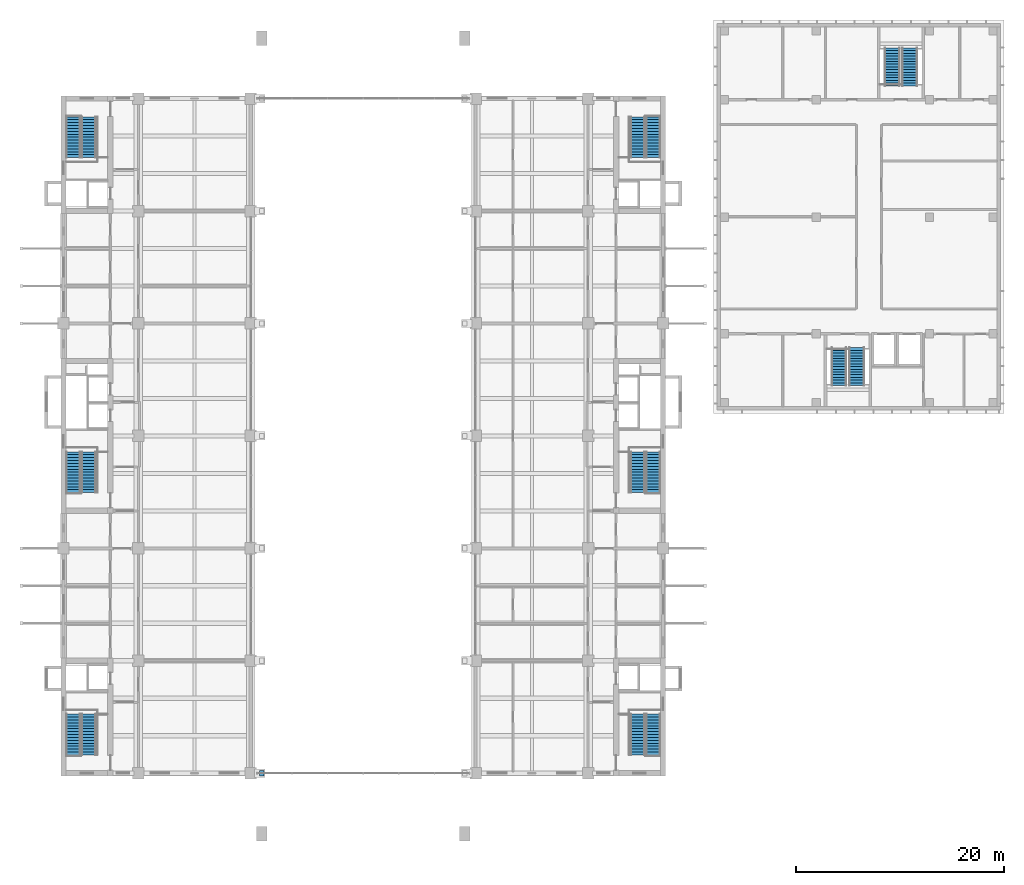
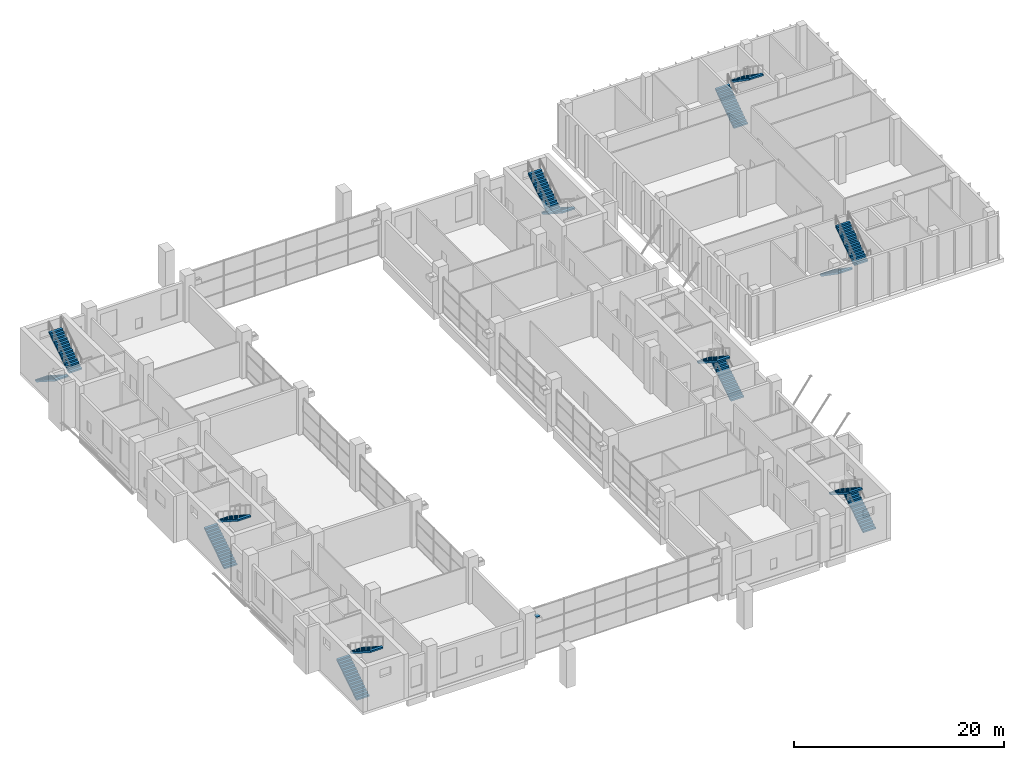
# One storey, part 26 of 38: 16 stair flights, 1 discrete accessory, 8 elements without a shape of their own.
"""IFC4 building model written with IfcOpenShell, lengths in metres."""

from ifc_helpers import new_model, si_unit, direction, frame, origin, origin_2d, place, context, subcontext, project, spatial, polyline, rectangle, outline, extrude, material, type_object, element, aggregate, save


model = new_model("IFC4")

# Units and contexts
model_context = context("Model", 3, precision=1e-05, world=origin(), true_north=direction((0.0, 1.0)))
body_context = subcontext(model_context, "Body", "Model", "MODEL_VIEW")
ifc_project = project(units=[si_unit("LENGTHUNIT", "METRE"), si_unit("AREAUNIT", "SQUARE_METRE"), si_unit("VOLUMEUNIT", "CUBIC_METRE"), si_unit("PLANEANGLEUNIT", "RADIAN"), si_unit("MASSUNIT", "GRAM", prefix="KILO")], contexts=[model_context])

# Site, building, storey
site_placement = place(None, origin())
site = spatial("IfcSite", under=ifc_project, at=site_placement, CompositionType="ELEMENT")
building_placement = place(site_placement, origin())
building = spatial("IfcBuilding", under=site, at=building_placement, Name="Basin Gate Institute", CompositionType="ELEMENT")
storey_placement = place(building_placement, frame((0.0, 0.0, 16.800048828125)))
storey = spatial("IfcBuildingStorey", under=building, at=storey_placement, Name="L03", CompositionType="ELEMENT", Elevation=16.800048828125)

# Stair, stair flights
ifc_material_1 = material(Name="Concrete 40 MPa", Category="concrete")
stair_type_1 = type_object("IfcStairType", Name="Block stair ST", PredefinedType="HALF_TURN_STAIR", material=ifc_material_1)
stair_1_placement = place(storey_placement, origin())
stair_1 = element("IfcStair", 1, at=stair_1_placement, inside=storey, type_object=stair_type_1, material=ifc_material_1, Name="Clean block stair ST-C4 L03", PredefinedType="HALF_TURN_STAIR")
ifc_material_2 = material(Name="Concrete 40 MPa", Category="concrete")
stair_flight_type_1 = type_object("IfcStairFlightType", Name="Block stair flight", PredefinedType="STRAIGHT", material=ifc_material_2)
stair_flight_1_placement = place(storey_placement, frame((135.699951171875, 75.97509765625, 0.0), z_axis=(0.0, 0.0, 1.0), x_axis=(0.0, -1.0, 0.0)))
stair_flight_1 = element("IfcStairFlight", 2, at=stair_flight_1_placement, type_object=stair_flight_type_1, material=ifc_material_2, Name="ST-C4 flight 1", NumberOfRisers=15, NumberOfTreads=14, PredefinedType="STRAIGHT", RiserHeight=0.18, TreadLength=0.26, context=body_context, shape_type="SweptSolid", body=[
    extrude(outline(polyline([(0.0, 0.0), (0.0, 0.179931640625), (0.260009765625, 0.179931640625), (0.260009765625, 0.360107421875), (0.52001953125, 0.360107421875), (0.52001953125, 0.5400390625), (0.780029296875, 0.5400390625), (0.780029296875, 0.719970703125), (1.0400390625, 0.719970703125), (1.0400390625, 0.89990234375), (1.300048828125, 0.89990234375), (1.300048828125, 1.080078125), (1.56005859375, 1.080078125), (1.56005859375, 1.260009765625), (1.820068359375, 1.260009765625), (1.820068359375, 1.43994140625), (2.080078125, 1.43994140625), (2.080078125, 1.6201171875), (2.340087890625, 1.6201171875), (2.340087890625, 1.800048828125), (2.60009765625, 1.800048828125), (2.60009765625, 1.97998046875), (2.860107421875, 1.97998046875), (2.860107421875, 2.159912109375), (3.1201171875, 2.159912109375), (3.1201171875, 2.340087890625), (3.3798828125, 2.340087890625), (3.3798828125, 2.52001953125), (3.639892578125, 2.52001953125), (3.639892578125, 2.699951171875), (3.639892578125, 2.337646484375), (0.263427734375, 0.0), (0.0, 0.0)])), frame((0.0, 0.75, 0.0), z_axis=(0.0, -1.0, 0.0), x_axis=(1.0, 0.0, 0.0)), (0.0, 0.0, 1.0), 1.5),
])
stair_flight_2_placement = place(storey_placement, frame((137.39990234375, 72.3349609375, 2.699951171875), z_axis=(0.0, 0.0, 1.0), x_axis=(0.0, 1.0, 0.0)))
stair_flight_2 = element("IfcStairFlight", 3, at=stair_flight_2_placement, type_object=stair_flight_type_1, material=ifc_material_2, Name="ST-C4 flight 2", NumberOfRisers=15, NumberOfTreads=14, PredefinedType="STRAIGHT", RiserHeight=0.18, TreadLength=0.26, context=body_context, shape_type="SweptSolid", body=[
    extrude(outline(polyline([(0.0, 0.0), (0.0, 0.179931640625), (0.260009765625, 0.179931640625), (0.260009765625, 0.360107421875), (0.52001953125, 0.360107421875), (0.52001953125, 0.5400390625), (0.780029296875, 0.5400390625), (0.780029296875, 0.719970703125), (1.0400390625, 0.719970703125), (1.0400390625, 0.89990234375), (1.300048828125, 0.89990234375), (1.300048828125, 1.080078125), (1.56005859375, 1.080078125), (1.56005859375, 1.260009765625), (1.820068359375, 1.260009765625), (1.820068359375, 1.43994140625), (2.080078125, 1.43994140625), (2.080078125, 1.6201171875), (2.340087890625, 1.6201171875), (2.340087890625, 1.800048828125), (2.60009765625, 1.800048828125), (2.60009765625, 1.97998046875), (2.860107421875, 1.97998046875), (2.860107421875, 2.159912109375), (3.1201171875, 2.159912109375), (3.1201171875, 2.340087890625), (3.3798828125, 2.340087890625), (3.3798828125, 2.52001953125), (3.639892578125, 2.52001953125), (3.639892578125, 2.699951171875), (3.639892578125, 2.337646484375), (0.263427734375, 0.0), (0.0, 0.0)])), frame((0.0, 0.75, 0.0), z_axis=(0.0, -1.0, 0.0), x_axis=(1.0, 0.0, 0.0)), (0.0, 0.0, 1.0), 1.5),
])
aggregate(stair_1, [stair_flight_1, stair_flight_2])

stair_2_placement = place(storey_placement, origin())
stair_2 = element("IfcStair", 4, at=stair_2_placement, inside=storey, type_object=stair_type_1, material=ifc_material_1, Name="Clean block stair ST-C8 L03", PredefinedType="HALF_TURN_STAIR")
stair_flight_3_placement = place(storey_placement, frame((140.800048828125, 101.125, 0.0), z_axis=(0.0, 0.0, 1.0), x_axis=(0.0, 1.0, 0.0)))
stair_flight_3 = element("IfcStairFlight", 5, at=stair_flight_3_placement, type_object=stair_flight_type_1, material=ifc_material_2, Name="ST-C8 flight 1", NumberOfRisers=15, NumberOfTreads=14, PredefinedType="STRAIGHT", RiserHeight=0.18, TreadLength=0.26, context=body_context, shape_type="SweptSolid", body=[
    extrude(outline(polyline([(0.0, 0.0), (0.0, 0.179931640625), (0.260009765625, 0.179931640625), (0.260009765625, 0.360107421875), (0.52001953125, 0.360107421875), (0.52001953125, 0.5400390625), (0.780029296875, 0.5400390625), (0.780029296875, 0.719970703125), (1.0400390625, 0.719970703125), (1.0400390625, 0.89990234375), (1.300048828125, 0.89990234375), (1.300048828125, 1.080078125), (1.56005859375, 1.080078125), (1.56005859375, 1.260009765625), (1.820068359375, 1.260009765625), (1.820068359375, 1.43994140625), (2.080078125, 1.43994140625), (2.080078125, 1.6201171875), (2.340087890625, 1.6201171875), (2.340087890625, 1.800048828125), (2.60009765625, 1.800048828125), (2.60009765625, 1.97998046875), (2.860107421875, 1.97998046875), (2.860107421875, 2.159912109375), (3.1201171875, 2.159912109375), (3.1201171875, 2.340087890625), (3.3798828125, 2.340087890625), (3.3798828125, 2.52001953125), (3.639892578125, 2.52001953125), (3.639892578125, 2.699951171875), (3.639892578125, 2.337646484375), (0.263427734375, 0.0), (0.0, 0.0)])), frame((0.0, 0.75, 0.0), z_axis=(0.0, -1.0, 0.0), x_axis=(1.0, 0.0, 0.0)), (0.0, 0.0, 1.0), 1.5),
])
stair_flight_4_placement = place(storey_placement, frame((142.5, 104.764892578125, 2.699951171875), z_axis=(0.0, 0.0, 1.0), x_axis=(0.0, -1.0, 0.0)))
stair_flight_4 = element("IfcStairFlight", 6, at=stair_flight_4_placement, type_object=stair_flight_type_1, material=ifc_material_2, Name="ST-C8 flight 2", NumberOfRisers=15, NumberOfTreads=14, PredefinedType="STRAIGHT", RiserHeight=0.18, TreadLength=0.26, context=body_context, shape_type="SweptSolid", body=[
    extrude(outline(polyline([(0.0, 0.0), (0.0, 0.179931640625), (0.260009765625, 0.179931640625), (0.260009765625, 0.360107421875), (0.52001953125, 0.360107421875), (0.52001953125, 0.5400390625), (0.780029296875, 0.5400390625), (0.780029296875, 0.719970703125), (1.0400390625, 0.719970703125), (1.0400390625, 0.89990234375), (1.300048828125, 0.89990234375), (1.300048828125, 1.080078125), (1.56005859375, 1.080078125), (1.56005859375, 1.260009765625), (1.820068359375, 1.260009765625), (1.820068359375, 1.43994140625), (2.080078125, 1.43994140625), (2.080078125, 1.6201171875), (2.340087890625, 1.6201171875), (2.340087890625, 1.800048828125), (2.60009765625, 1.800048828125), (2.60009765625, 1.97998046875), (2.860107421875, 1.97998046875), (2.860107421875, 2.159912109375), (3.1201171875, 2.159912109375), (3.1201171875, 2.340087890625), (3.3798828125, 2.340087890625), (3.3798828125, 2.52001953125), (3.639892578125, 2.52001953125), (3.639892578125, 2.699951171875), (3.639892578125, 2.337646484375), (0.263427734375, 0.0), (0.0, 0.0)])), frame((0.0, 0.75, 0.0), z_axis=(0.0, -1.0, 0.0), x_axis=(1.0, 0.0, 0.0)), (0.0, 0.0, 1.0), 1.5),
])
aggregate(stair_2, [stair_flight_3, stair_flight_4])

ifc_material_3 = material(Name="Concrete 40 MPa", Category="concrete")
stair_type_2 = type_object("IfcStairType", Name="Stair ST", PredefinedType="HALF_TURN_STAIR", material=ifc_material_3)
stair_3_placement = place(storey_placement, origin())
stair_3 = element("IfcStair", 7, at=stair_3_placement, inside=storey, type_object=stair_type_2, material=ifc_material_3, Name="Special safe stair ST-WS L03", PredefinedType="HALF_TURN_STAIR")
ifc_material_4 = material(Name="Concrete 40 MPa", Category="concrete")
stair_flight_type_2 = type_object("IfcStairFlightType", Name="Stair flight FL", PredefinedType="STRAIGHT", material=ifc_material_4)
stair_flight_5_placement = place(storey_placement, frame((62.14990234375, 36.85009765625, 0.0), z_axis=(0.0, 0.0, 1.0), x_axis=(0.0, 1.0, 0.0)))
stair_flight_5 = element("IfcStairFlight", 8, at=stair_flight_5_placement, type_object=stair_flight_type_2, material=ifc_material_4, Name="Stair flight ST-WS-F1 L03", NumberOfRisers=15, NumberOfTreads=14, PredefinedType="STRAIGHT", RiserHeight=0.18, TreadLength=0.28, context=body_context, shape_type="SweptSolid", body=[
    extrude(outline(polyline([(0.0, 0.0), (0.0, 0.179931640625), (0.280029296875, 0.179931640625), (0.280029296875, 0.360107421875), (0.56005859375, 0.360107421875), (0.56005859375, 0.5400390625), (0.840087890625, 0.5400390625), (0.840087890625, 0.719970703125), (1.1201171875, 0.719970703125), (1.1201171875, 0.89990234375), (1.39990234375, 0.89990234375), (1.39990234375, 1.080078125), (1.679931640625, 1.080078125), (1.679931640625, 1.260009765625), (1.9599609375, 1.260009765625), (1.9599609375, 1.43994140625), (2.239990234375, 1.43994140625), (2.239990234375, 1.6201171875), (2.52001953125, 1.6201171875), (2.52001953125, 1.800048828125), (2.800048828125, 1.800048828125), (2.800048828125, 1.97998046875), (3.080078125, 1.97998046875), (3.080078125, 2.159912109375), (3.360107421875, 2.159912109375), (3.360107421875, 2.340087890625), (3.639892578125, 2.340087890625), (3.639892578125, 2.52001953125), (3.919921875, 2.52001953125), (3.919921875, 2.699951171875), (3.919921875, 2.341796875), (0.277099609375, 0.0), (0.0, 0.0)])), frame((0.0, 0.699951171875, 0.0), z_axis=(0.0, -1.0, 0.0), x_axis=(1.0, 0.0, 0.0)), (0.0, 0.0, 1.0), 1.39990234375),
])
stair_flight_6_placement = place(storey_placement, frame((63.64990234375, 40.77001953125, 2.699951171875), z_axis=(0.0, 0.0, 1.0), x_axis=(0.0, -1.0, 0.0)))
stair_flight_6 = element("IfcStairFlight", 9, at=stair_flight_6_placement, type_object=stair_flight_type_2, material=ifc_material_4, Name="Stair flight ST-WS-F2 L03", NumberOfRisers=15, NumberOfTreads=14, PredefinedType="STRAIGHT", RiserHeight=0.18, TreadLength=0.28, context=body_context, shape_type="SweptSolid", body=[
    extrude(outline(polyline([(0.0, 0.0), (0.0, 0.179931640625), (0.280029296875, 0.179931640625), (0.280029296875, 0.360107421875), (0.56005859375, 0.360107421875), (0.56005859375, 0.5400390625), (0.840087890625, 0.5400390625), (0.840087890625, 0.719970703125), (1.1201171875, 0.719970703125), (1.1201171875, 0.89990234375), (1.39990234375, 0.89990234375), (1.39990234375, 1.080078125), (1.679931640625, 1.080078125), (1.679931640625, 1.260009765625), (1.9599609375, 1.260009765625), (1.9599609375, 1.43994140625), (2.239990234375, 1.43994140625), (2.239990234375, 1.6201171875), (2.52001953125, 1.6201171875), (2.52001953125, 1.800048828125), (2.800048828125, 1.800048828125), (2.800048828125, 1.97998046875), (3.080078125, 1.97998046875), (3.080078125, 2.159912109375), (3.360107421875, 2.159912109375), (3.360107421875, 2.340087890625), (3.639892578125, 2.340087890625), (3.639892578125, 2.52001953125), (3.919921875, 2.52001953125), (3.919921875, 2.699951171875), (3.919921875, 2.341796875), (0.277099609375, 0.0), (0.0, 0.0)])), frame((0.0, 0.699951171875, 0.0), z_axis=(0.0, -1.0, 0.0), x_axis=(1.0, 0.0, 0.0)), (0.0, 0.0, 1.0), 1.39990234375),
])
aggregate(stair_3, [stair_flight_5, stair_flight_6])

stair_4_placement = place(storey_placement, origin())
stair_4 = element("IfcStair", 10, at=stair_4_placement, inside=storey, type_object=stair_type_2, material=ifc_material_3, Name="Special safe stair ST-WM L03", PredefinedType="HALF_TURN_STAIR")
stair_flight_7_placement = place(storey_placement, frame((62.14990234375, 62.050048828125, 0.0), z_axis=(0.0, 0.0, 1.0), x_axis=(0.0, 1.0, 0.0)))
stair_flight_7 = element("IfcStairFlight", 11, at=stair_flight_7_placement, type_object=stair_flight_type_2, material=ifc_material_4, Name="Stair flight ST-WM-F1 L03", NumberOfRisers=15, NumberOfTreads=14, PredefinedType="STRAIGHT", RiserHeight=0.18, TreadLength=0.28, context=body_context, shape_type="SweptSolid", body=[
    extrude(outline(polyline([(0.0, 0.0), (0.0, 0.179931640625), (0.280029296875, 0.179931640625), (0.280029296875, 0.360107421875), (0.56005859375, 0.360107421875), (0.56005859375, 0.5400390625), (0.840087890625, 0.5400390625), (0.840087890625, 0.719970703125), (1.1201171875, 0.719970703125), (1.1201171875, 0.89990234375), (1.39990234375, 0.89990234375), (1.39990234375, 1.080078125), (1.679931640625, 1.080078125), (1.679931640625, 1.260009765625), (1.9599609375, 1.260009765625), (1.9599609375, 1.43994140625), (2.239990234375, 1.43994140625), (2.239990234375, 1.6201171875), (2.52001953125, 1.6201171875), (2.52001953125, 1.800048828125), (2.800048828125, 1.800048828125), (2.800048828125, 1.97998046875), (3.080078125, 1.97998046875), (3.080078125, 2.159912109375), (3.360107421875, 2.159912109375), (3.360107421875, 2.340087890625), (3.639892578125, 2.340087890625), (3.639892578125, 2.52001953125), (3.919921875, 2.52001953125), (3.919921875, 2.699951171875), (3.919921875, 2.341796875), (0.277099609375, 0.0), (0.0, 0.0)])), frame((0.0, 0.699951171875, 0.0), z_axis=(0.0, -1.0, 0.0), x_axis=(1.0, 0.0, 0.0)), (0.0, 0.0, 1.0), 1.39990234375),
])
stair_flight_8_placement = place(storey_placement, frame((63.64990234375, 65.969970703125, 2.699951171875), z_axis=(0.0, 0.0, 1.0), x_axis=(0.0, -1.0, 0.0)))
stair_flight_8 = element("IfcStairFlight", 12, at=stair_flight_8_placement, type_object=stair_flight_type_2, material=ifc_material_4, Name="Stair flight ST-WM-F2 L03", NumberOfRisers=15, NumberOfTreads=14, PredefinedType="STRAIGHT", RiserHeight=0.18, TreadLength=0.28, context=body_context, shape_type="SweptSolid", body=[
    extrude(outline(polyline([(0.0, 0.0), (0.0, 0.179931640625), (0.280029296875, 0.179931640625), (0.280029296875, 0.360107421875), (0.56005859375, 0.360107421875), (0.56005859375, 0.5400390625), (0.840087890625, 0.5400390625), (0.840087890625, 0.719970703125), (1.1201171875, 0.719970703125), (1.1201171875, 0.89990234375), (1.39990234375, 0.89990234375), (1.39990234375, 1.080078125), (1.679931640625, 1.080078125), (1.679931640625, 1.260009765625), (1.9599609375, 1.260009765625), (1.9599609375, 1.43994140625), (2.239990234375, 1.43994140625), (2.239990234375, 1.6201171875), (2.52001953125, 1.6201171875), (2.52001953125, 1.800048828125), (2.800048828125, 1.800048828125), (2.800048828125, 1.97998046875), (3.080078125, 1.97998046875), (3.080078125, 2.159912109375), (3.360107421875, 2.159912109375), (3.360107421875, 2.340087890625), (3.639892578125, 2.340087890625), (3.639892578125, 2.52001953125), (3.919921875, 2.52001953125), (3.919921875, 2.699951171875), (3.919921875, 2.341796875), (0.277099609375, 0.0), (0.0, 0.0)])), frame((0.0, 0.699951171875, 0.0), z_axis=(0.0, -1.0, 0.0), x_axis=(1.0, 0.0, 0.0)), (0.0, 0.0, 1.0), 1.39990234375),
])
aggregate(stair_4, [stair_flight_7, stair_flight_8])

stair_5_placement = place(storey_placement, origin())
stair_5 = element("IfcStair", 13, at=stair_5_placement, inside=storey, type_object=stair_type_2, material=ifc_material_3, Name="Special safe stair ST-WN L03", PredefinedType="HALF_TURN_STAIR")
stair_flight_9_placement = place(storey_placement, frame((62.14990234375, 98.14990234375, 0.0), z_axis=(0.0, 0.0, 1.0), x_axis=(0.0, -1.0, 0.0)))
stair_flight_9 = element("IfcStairFlight", 14, at=stair_flight_9_placement, type_object=stair_flight_type_2, material=ifc_material_4, Name="Stair flight ST-WN-F1 L03", NumberOfRisers=15, NumberOfTreads=14, PredefinedType="STRAIGHT", RiserHeight=0.18, TreadLength=0.28, context=body_context, shape_type="SweptSolid", body=[
    extrude(outline(polyline([(0.0, 0.0), (0.0, 0.179931640625), (0.280029296875, 0.179931640625), (0.280029296875, 0.360107421875), (0.56005859375, 0.360107421875), (0.56005859375, 0.5400390625), (0.840087890625, 0.5400390625), (0.840087890625, 0.719970703125), (1.1201171875, 0.719970703125), (1.1201171875, 0.89990234375), (1.39990234375, 0.89990234375), (1.39990234375, 1.080078125), (1.679931640625, 1.080078125), (1.679931640625, 1.260009765625), (1.9599609375, 1.260009765625), (1.9599609375, 1.43994140625), (2.239990234375, 1.43994140625), (2.239990234375, 1.6201171875), (2.52001953125, 1.6201171875), (2.52001953125, 1.800048828125), (2.800048828125, 1.800048828125), (2.800048828125, 1.97998046875), (3.080078125, 1.97998046875), (3.080078125, 2.159912109375), (3.360107421875, 2.159912109375), (3.360107421875, 2.340087890625), (3.639892578125, 2.340087890625), (3.639892578125, 2.52001953125), (3.919921875, 2.52001953125), (3.919921875, 2.699951171875), (3.919921875, 2.341796875), (0.277099609375, 0.0), (0.0, 0.0)])), frame((0.0, 0.699951171875, 0.0), z_axis=(0.0, -1.0, 0.0), x_axis=(1.0, 0.0, 0.0)), (0.0, 0.0, 1.0), 1.39990234375),
])
stair_flight_10_placement = place(storey_placement, frame((63.64990234375, 94.22998046875, 2.699951171875), z_axis=(0.0, 0.0, 1.0), x_axis=(0.0, 1.0, 0.0)))
stair_flight_10 = element("IfcStairFlight", 15, at=stair_flight_10_placement, type_object=stair_flight_type_2, material=ifc_material_4, Name="Stair flight ST-WN-F2 L03", NumberOfRisers=15, NumberOfTreads=14, PredefinedType="STRAIGHT", RiserHeight=0.18, TreadLength=0.28, context=body_context, shape_type="SweptSolid", body=[
    extrude(outline(polyline([(0.0, 0.0), (0.0, 0.179931640625), (0.280029296875, 0.179931640625), (0.280029296875, 0.360107421875), (0.56005859375, 0.360107421875), (0.56005859375, 0.5400390625), (0.840087890625, 0.5400390625), (0.840087890625, 0.719970703125), (1.1201171875, 0.719970703125), (1.1201171875, 0.89990234375), (1.39990234375, 0.89990234375), (1.39990234375, 1.080078125), (1.679931640625, 1.080078125), (1.679931640625, 1.260009765625), (1.9599609375, 1.260009765625), (1.9599609375, 1.43994140625), (2.239990234375, 1.43994140625), (2.239990234375, 1.6201171875), (2.52001953125, 1.6201171875), (2.52001953125, 1.800048828125), (2.800048828125, 1.800048828125), (2.800048828125, 1.97998046875), (3.080078125, 1.97998046875), (3.080078125, 2.159912109375), (3.360107421875, 2.159912109375), (3.360107421875, 2.340087890625), (3.639892578125, 2.340087890625), (3.639892578125, 2.52001953125), (3.919921875, 2.52001953125), (3.919921875, 2.699951171875), (3.919921875, 2.341796875), (0.277099609375, 0.0), (0.0, 0.0)])), frame((0.0, 0.699951171875, 0.0), z_axis=(0.0, -1.0, 0.0), x_axis=(1.0, 0.0, 0.0)), (0.0, 0.0, 1.0), 1.39990234375),
])
aggregate(stair_5, [stair_flight_9, stair_flight_10])

stair_6_placement = place(storey_placement, origin())
stair_6 = element("IfcStair", 16, at=stair_6_placement, inside=storey, type_object=stair_type_2, material=ifc_material_3, Name="Special safe stair ST-ES L03", PredefinedType="HALF_TURN_STAIR")
stair_flight_11_placement = place(storey_placement, frame((117.85009765625, 36.85009765625, 0.0), z_axis=(0.0, 0.0, 1.0), x_axis=(0.0, 1.0, 0.0)))
stair_flight_11 = element("IfcStairFlight", 17, at=stair_flight_11_placement, type_object=stair_flight_type_2, material=ifc_material_4, Name="Stair flight ST-ES-F1 L03", NumberOfRisers=15, NumberOfTreads=14, PredefinedType="STRAIGHT", RiserHeight=0.18, TreadLength=0.28, context=body_context, shape_type="SweptSolid", body=[
    extrude(outline(polyline([(0.0, 0.0), (0.0, 0.179931640625), (0.280029296875, 0.179931640625), (0.280029296875, 0.360107421875), (0.56005859375, 0.360107421875), (0.56005859375, 0.5400390625), (0.840087890625, 0.5400390625), (0.840087890625, 0.719970703125), (1.1201171875, 0.719970703125), (1.1201171875, 0.89990234375), (1.39990234375, 0.89990234375), (1.39990234375, 1.080078125), (1.679931640625, 1.080078125), (1.679931640625, 1.260009765625), (1.9599609375, 1.260009765625), (1.9599609375, 1.43994140625), (2.239990234375, 1.43994140625), (2.239990234375, 1.6201171875), (2.52001953125, 1.6201171875), (2.52001953125, 1.800048828125), (2.800048828125, 1.800048828125), (2.800048828125, 1.97998046875), (3.080078125, 1.97998046875), (3.080078125, 2.159912109375), (3.360107421875, 2.159912109375), (3.360107421875, 2.340087890625), (3.639892578125, 2.340087890625), (3.639892578125, 2.52001953125), (3.919921875, 2.52001953125), (3.919921875, 2.699951171875), (3.919921875, 2.341796875), (0.277099609375, 0.0), (0.0, 0.0)])), frame((0.0, 0.699951171875, 0.0), z_axis=(0.0, -1.0, 0.0), x_axis=(1.0, 0.0, 0.0)), (0.0, 0.0, 1.0), 1.39990234375),
])
stair_flight_12_placement = place(storey_placement, frame((116.35009765625, 40.77001953125, 2.699951171875), z_axis=(0.0, 0.0, 1.0), x_axis=(0.0, -1.0, 0.0)))
stair_flight_12 = element("IfcStairFlight", 18, at=stair_flight_12_placement, type_object=stair_flight_type_2, material=ifc_material_4, Name="Stair flight ST-ES-F2 L03", NumberOfRisers=15, NumberOfTreads=14, PredefinedType="STRAIGHT", RiserHeight=0.18, TreadLength=0.28, context=body_context, shape_type="SweptSolid", body=[
    extrude(outline(polyline([(0.0, 0.0), (0.0, 0.179931640625), (0.280029296875, 0.179931640625), (0.280029296875, 0.360107421875), (0.56005859375, 0.360107421875), (0.56005859375, 0.5400390625), (0.840087890625, 0.5400390625), (0.840087890625, 0.719970703125), (1.1201171875, 0.719970703125), (1.1201171875, 0.89990234375), (1.39990234375, 0.89990234375), (1.39990234375, 1.080078125), (1.679931640625, 1.080078125), (1.679931640625, 1.260009765625), (1.9599609375, 1.260009765625), (1.9599609375, 1.43994140625), (2.239990234375, 1.43994140625), (2.239990234375, 1.6201171875), (2.52001953125, 1.6201171875), (2.52001953125, 1.800048828125), (2.800048828125, 1.800048828125), (2.800048828125, 1.97998046875), (3.080078125, 1.97998046875), (3.080078125, 2.159912109375), (3.360107421875, 2.159912109375), (3.360107421875, 2.340087890625), (3.639892578125, 2.340087890625), (3.639892578125, 2.52001953125), (3.919921875, 2.52001953125), (3.919921875, 2.699951171875), (3.919921875, 2.341796875), (0.277099609375, 0.0), (0.0, 0.0)])), frame((0.0, 0.699951171875, 0.0), z_axis=(0.0, -1.0, 0.0), x_axis=(1.0, 0.0, 0.0)), (0.0, 0.0, 1.0), 1.39990234375),
])
aggregate(stair_6, [stair_flight_11, stair_flight_12])

stair_7_placement = place(storey_placement, origin())
stair_7 = element("IfcStair", 19, at=stair_7_placement, inside=storey, type_object=stair_type_2, material=ifc_material_3, Name="Special safe stair ST-EM L03", PredefinedType="HALF_TURN_STAIR")
stair_flight_13_placement = place(storey_placement, frame((117.85009765625, 62.050048828125, 0.0), z_axis=(0.0, 0.0, 1.0), x_axis=(0.0, 1.0, 0.0)))
stair_flight_13 = element("IfcStairFlight", 20, at=stair_flight_13_placement, type_object=stair_flight_type_2, material=ifc_material_4, Name="Stair flight ST-EM-F1 L03", NumberOfRisers=15, NumberOfTreads=14, PredefinedType="STRAIGHT", RiserHeight=0.18, TreadLength=0.28, context=body_context, shape_type="SweptSolid", body=[
    extrude(outline(polyline([(0.0, 0.0), (0.0, 0.179931640625), (0.280029296875, 0.179931640625), (0.280029296875, 0.360107421875), (0.56005859375, 0.360107421875), (0.56005859375, 0.5400390625), (0.840087890625, 0.5400390625), (0.840087890625, 0.719970703125), (1.1201171875, 0.719970703125), (1.1201171875, 0.89990234375), (1.39990234375, 0.89990234375), (1.39990234375, 1.080078125), (1.679931640625, 1.080078125), (1.679931640625, 1.260009765625), (1.9599609375, 1.260009765625), (1.9599609375, 1.43994140625), (2.239990234375, 1.43994140625), (2.239990234375, 1.6201171875), (2.52001953125, 1.6201171875), (2.52001953125, 1.800048828125), (2.800048828125, 1.800048828125), (2.800048828125, 1.97998046875), (3.080078125, 1.97998046875), (3.080078125, 2.159912109375), (3.360107421875, 2.159912109375), (3.360107421875, 2.340087890625), (3.639892578125, 2.340087890625), (3.639892578125, 2.52001953125), (3.919921875, 2.52001953125), (3.919921875, 2.699951171875), (3.919921875, 2.341796875), (0.277099609375, 0.0), (0.0, 0.0)])), frame((0.0, 0.699951171875, 0.0), z_axis=(0.0, -1.0, 0.0), x_axis=(1.0, 0.0, 0.0)), (0.0, 0.0, 1.0), 1.39990234375),
])
stair_flight_14_placement = place(storey_placement, frame((116.35009765625, 65.969970703125, 2.699951171875), z_axis=(0.0, 0.0, 1.0), x_axis=(0.0, -1.0, 0.0)))
stair_flight_14 = element("IfcStairFlight", 21, at=stair_flight_14_placement, type_object=stair_flight_type_2, material=ifc_material_4, Name="Stair flight ST-EM-F2 L03", NumberOfRisers=15, NumberOfTreads=14, PredefinedType="STRAIGHT", RiserHeight=0.18, TreadLength=0.28, context=body_context, shape_type="SweptSolid", body=[
    extrude(outline(polyline([(0.0, 0.0), (0.0, 0.179931640625), (0.280029296875, 0.179931640625), (0.280029296875, 0.360107421875), (0.56005859375, 0.360107421875), (0.56005859375, 0.5400390625), (0.840087890625, 0.5400390625), (0.840087890625, 0.719970703125), (1.1201171875, 0.719970703125), (1.1201171875, 0.89990234375), (1.39990234375, 0.89990234375), (1.39990234375, 1.080078125), (1.679931640625, 1.080078125), (1.679931640625, 1.260009765625), (1.9599609375, 1.260009765625), (1.9599609375, 1.43994140625), (2.239990234375, 1.43994140625), (2.239990234375, 1.6201171875), (2.52001953125, 1.6201171875), (2.52001953125, 1.800048828125), (2.800048828125, 1.800048828125), (2.800048828125, 1.97998046875), (3.080078125, 1.97998046875), (3.080078125, 2.159912109375), (3.360107421875, 2.159912109375), (3.360107421875, 2.340087890625), (3.639892578125, 2.340087890625), (3.639892578125, 2.52001953125), (3.919921875, 2.52001953125), (3.919921875, 2.699951171875), (3.919921875, 2.341796875), (0.277099609375, 0.0), (0.0, 0.0)])), frame((0.0, 0.699951171875, 0.0), z_axis=(0.0, -1.0, 0.0), x_axis=(1.0, 0.0, 0.0)), (0.0, 0.0, 1.0), 1.39990234375),
])
aggregate(stair_7, [stair_flight_13, stair_flight_14])

stair_8_placement = place(storey_placement, origin())
stair_8 = element("IfcStair", 22, at=stair_8_placement, inside=storey, type_object=stair_type_2, material=ifc_material_3, Name="Special safe stair ST-EN L03", PredefinedType="HALF_TURN_STAIR")
stair_flight_15_placement = place(storey_placement, frame((117.85009765625, 98.14990234375, 0.0), z_axis=(0.0, 0.0, 1.0), x_axis=(0.0, -1.0, 0.0)))
stair_flight_15 = element("IfcStairFlight", 23, at=stair_flight_15_placement, type_object=stair_flight_type_2, material=ifc_material_4, Name="Stair flight ST-EN-F1 L03", NumberOfRisers=15, NumberOfTreads=14, PredefinedType="STRAIGHT", RiserHeight=0.18, TreadLength=0.28, context=body_context, shape_type="SweptSolid", body=[
    extrude(outline(polyline([(0.0, 0.0), (0.0, 0.179931640625), (0.280029296875, 0.179931640625), (0.280029296875, 0.360107421875), (0.56005859375, 0.360107421875), (0.56005859375, 0.5400390625), (0.840087890625, 0.5400390625), (0.840087890625, 0.719970703125), (1.1201171875, 0.719970703125), (1.1201171875, 0.89990234375), (1.39990234375, 0.89990234375), (1.39990234375, 1.080078125), (1.679931640625, 1.080078125), (1.679931640625, 1.260009765625), (1.9599609375, 1.260009765625), (1.9599609375, 1.43994140625), (2.239990234375, 1.43994140625), (2.239990234375, 1.6201171875), (2.52001953125, 1.6201171875), (2.52001953125, 1.800048828125), (2.800048828125, 1.800048828125), (2.800048828125, 1.97998046875), (3.080078125, 1.97998046875), (3.080078125, 2.159912109375), (3.360107421875, 2.159912109375), (3.360107421875, 2.340087890625), (3.639892578125, 2.340087890625), (3.639892578125, 2.52001953125), (3.919921875, 2.52001953125), (3.919921875, 2.699951171875), (3.919921875, 2.341796875), (0.277099609375, 0.0), (0.0, 0.0)])), frame((0.0, 0.699951171875, 0.0), z_axis=(0.0, -1.0, 0.0), x_axis=(1.0, 0.0, 0.0)), (0.0, 0.0, 1.0), 1.39990234375),
])
stair_flight_16_placement = place(storey_placement, frame((116.35009765625, 94.22998046875, 2.699951171875), z_axis=(0.0, 0.0, 1.0), x_axis=(0.0, 1.0, 0.0)))
stair_flight_16 = element("IfcStairFlight", 24, at=stair_flight_16_placement, type_object=stair_flight_type_2, material=ifc_material_4, Name="Stair flight ST-EN-F2 L03", NumberOfRisers=15, NumberOfTreads=14, PredefinedType="STRAIGHT", RiserHeight=0.18, TreadLength=0.28, context=body_context, shape_type="SweptSolid", body=[
    extrude(outline(polyline([(0.0, 0.0), (0.0, 0.179931640625), (0.280029296875, 0.179931640625), (0.280029296875, 0.360107421875), (0.56005859375, 0.360107421875), (0.56005859375, 0.5400390625), (0.840087890625, 0.5400390625), (0.840087890625, 0.719970703125), (1.1201171875, 0.719970703125), (1.1201171875, 0.89990234375), (1.39990234375, 0.89990234375), (1.39990234375, 1.080078125), (1.679931640625, 1.080078125), (1.679931640625, 1.260009765625), (1.9599609375, 1.260009765625), (1.9599609375, 1.43994140625), (2.239990234375, 1.43994140625), (2.239990234375, 1.6201171875), (2.52001953125, 1.6201171875), (2.52001953125, 1.800048828125), (2.800048828125, 1.800048828125), (2.800048828125, 1.97998046875), (3.080078125, 1.97998046875), (3.080078125, 2.159912109375), (3.360107421875, 2.159912109375), (3.360107421875, 2.340087890625), (3.639892578125, 2.340087890625), (3.639892578125, 2.52001953125), (3.919921875, 2.52001953125), (3.919921875, 2.699951171875), (3.919921875, 2.341796875), (0.277099609375, 0.0), (0.0, 0.0)])), frame((0.0, 0.699951171875, 0.0), z_axis=(0.0, -1.0, 0.0), x_axis=(1.0, 0.0, 0.0)), (0.0, 0.0, 1.0), 1.39990234375),
])
aggregate(stair_8, [stair_flight_15, stair_flight_16])

# Discrete accessory
ifc_material_5 = material(Name="Stainless steel plate on PTFE sliding surface", Category="steel")
discrete_accessory_type = type_object("IfcDiscreteAccessoryType", Name="Sliding bearing BR1", PredefinedType="SHOE", material=ifc_material_5)
discrete_accessory_placement = place(storey_placement, frame((80.25, 35.10009765625, 4.35009765625), z_axis=(0.0, 0.0, 1.0), x_axis=(1.0, 0.0, 0.0)))
element("IfcDiscreteAccessory", 25, at=discrete_accessory_placement, inside=storey, type_object=discrete_accessory_type, material=ifc_material_5, Name="Atrium shell sliding bearing 1W", PredefinedType="SHOE", context=body_context, shape_type="SweptSolid", body=[
    extrude(rectangle(XDim=0.39990234375, YDim=0.5, at=origin_2d()), origin(), (0.0, 0.0, 1.0), 0.050048828125),
])

save(model, "model.ifc")
